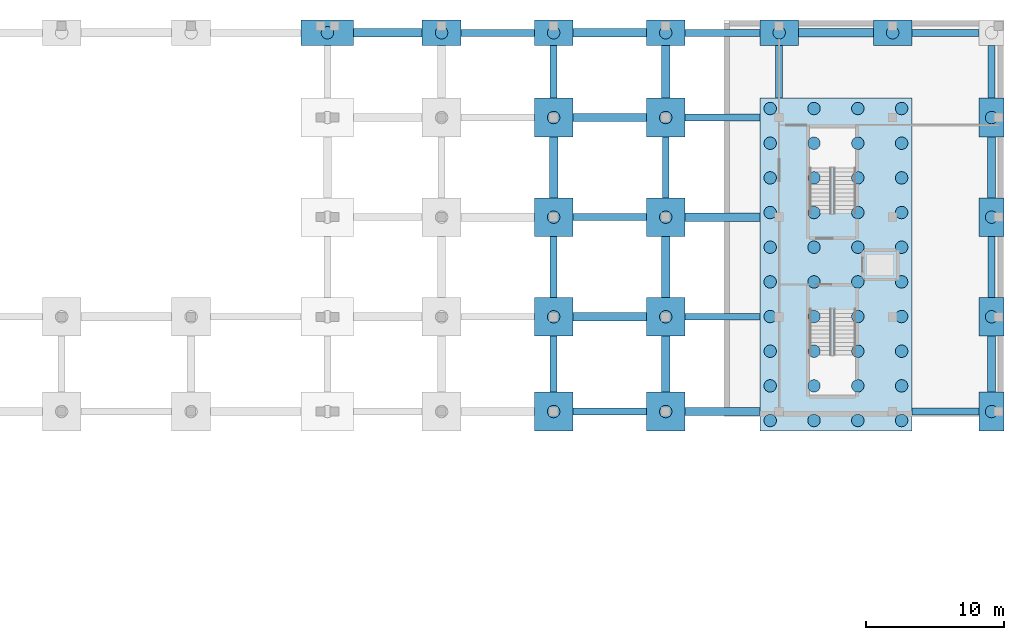
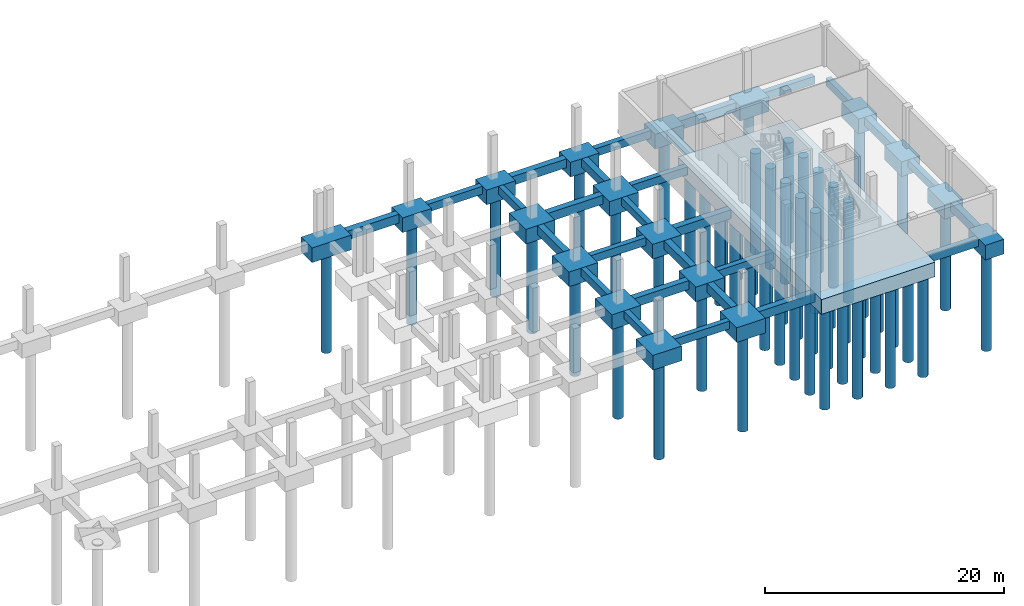
# One storey, part 6 of 21: 58 piles, 47 footings.
"""IFC4 building model written with IfcOpenShell, lengths in metres."""

from ifc_helpers import new_model, si_unit, direction, frame, origin, origin_2d, place, context, subcontext, project, spatial, polyline, circle, outline, extrude, material, material_profile, profile_set, type_object, element, save


model = new_model("IFC4")

# Units and contexts
model_context = context("Model", 3, precision=1e-05, world=origin(), true_north=direction((0.0, 1.0)))
body_context = subcontext(model_context, "Body", "Model", "MODEL_VIEW")
ifc_project = project(units=[si_unit("LENGTHUNIT", "METRE"), si_unit("AREAUNIT", "SQUARE_METRE"), si_unit("VOLUMEUNIT", "CUBIC_METRE"), si_unit("PLANEANGLEUNIT", "RADIAN"), si_unit("MASSUNIT", "GRAM", prefix="KILO")], contexts=[model_context])

# Site, building, storey
site_placement = place(None, origin())
site = spatial("IfcSite", under=ifc_project, at=site_placement, CompositionType="ELEMENT")
building_placement = place(site_placement, origin())
building = spatial("IfcBuilding", under=site, at=building_placement, Name="Quillay Park Conservatory", CompositionType="ELEMENT")
storey_placement = place(building_placement, frame((0.0, 0.0, -8.39990234375)))
storey = spatial("IfcBuildingStorey", under=building, at=storey_placement, Name="B2", CompositionType="ELEMENT", Elevation=-8.39990234375)

# Piles
ifc_material_1 = material(Name="Concrete C35/45 (NCh170 Concrete C35/45)", Category="concrete")
ifc_material_profile = material_profile(ifc_material_1, circle(Radius=0.449951171875, at=origin_2d()), Name="PILE900")
ifc_profile_set = profile_set([ifc_material_profile], Name="Concrete C35/45 (NCh170 Concrete C35/45)")
pile_type = type_object("IfcPileType", Name="BORED CONCRETE PILE 900", PredefinedType="BORED", material=ifc_profile_set)
for number, where, z_axis, x_axis, name in (
    (1, (131.699951171875, 85.550048828125, -1.7001953125), (0.0, 0.0, -1.0), (1.0, 0.0, 0.0), "Bored pile P-0162"),
    (2, (139.800048828125, 85.550048828125, -1.7001953125), (0.0, 0.0, -1.0), (1.0, 0.0, 0.0), "Bored pile P-0163"),
    (3, (147.35009765625, 84.89990234375, -1.7001953125), (0.0, 0.0, -1.0), (1.0, 0.0, 0.0), "Bored pile P-0164"),
    (4, (147.35009765625, 87.405517578125, -1.7001953125), (0.0, 0.0, -1.0), (1.0, 0.0, 0.0), "Bored pile P-0165"),
    (5, (147.35009765625, 89.9111328125, -1.7001953125), (0.0, 0.0, -1.0), (1.0, 0.0, 0.0), "Bored pile P-0166"),
    (6, (147.35009765625, 92.416748046875, -1.7001953125), (0.0, 0.0, -1.0), (1.0, 0.0, 0.0), "Bored pile P-0167"),
    (7, (147.35009765625, 94.922119140625, -1.7001953125), (0.0, 0.0, -1.0), (1.0, 0.0, 0.0), "Bored pile P-0168"),
    (8, (147.35009765625, 97.427734375, -1.7001953125), (0.0, 0.0, -1.0), (1.0, 0.0, 0.0), "Bored pile P-0169"),
    (9, (147.35009765625, 99.933349609375, -1.7001953125), (0.0, 0.0, -1.0), (1.0, 0.0, 0.0), "Bored pile P-0170"),
    (10, (147.35009765625, 102.43896484375, -1.7001953125), (0.0, 0.0, -1.0), (1.0, 0.0, 0.0), "Bored pile P-0171"),
    (11, (147.35009765625, 104.9443359375, -1.7001953125), (0.0, 0.0, -1.0), (1.0, 0.0, 0.0), "Bored pile P-0172"),
    (12, (147.35009765625, 107.449951171875, -1.7001953125), (0.0, 0.0, -1.0), (1.0, 0.0, 0.0), "Bored pile P-0173"),
    (13, (150.5166015625, 84.89990234375, -1.7001953125), (0.0, 0.0, -1.0), (1.0, 0.0, 0.0), "Bored pile P-0174"),
    (14, (150.5166015625, 87.405517578125, -1.7001953125), (0.0, 0.0, -1.0), (1.0, 0.0, 0.0), "Bored pile P-0175"),
    (15, (150.5166015625, 89.9111328125, -1.7001953125), (0.0, 0.0, -1.0), (1.0, 0.0, 0.0), "Bored pile P-0176"),
    (16, (150.5166015625, 92.416748046875, -1.7001953125), (0.0, 0.0, -1.0), (1.0, 0.0, 0.0), "Bored pile P-0177"),
    (17, (150.5166015625, 94.922119140625, -1.7001953125), (0.0, 0.0, -1.0), (1.0, 0.0, 0.0), "Bored pile P-0178"),
    (18, (150.5166015625, 97.427734375, -1.7001953125), (0.0, 0.0, -1.0), (1.0, 0.0, 0.0), "Bored pile P-0179"),
    (19, (150.5166015625, 99.933349609375, -1.7001953125), (0.0, 0.0, -1.0), (1.0, 0.0, 0.0), "Bored pile P-0180"),
    (20, (150.5166015625, 102.43896484375, -1.7001953125), (0.0, 0.0, -1.0), (1.0, 0.0, 0.0), "Bored pile P-0181"),
    (21, (150.5166015625, 104.9443359375, -1.7001953125), (0.0, 0.0, -1.0), (1.0, 0.0, 0.0), "Bored pile P-0182"),
    (22, (150.5166015625, 107.449951171875, -1.7001953125), (0.0, 0.0, -1.0), (1.0, 0.0, 0.0), "Bored pile P-0183"),
    (23, (153.683349609375, 84.89990234375, -1.7001953125), (0.0, 0.0, -1.0), (1.0, 0.0, 0.0), "Bored pile P-0184"),
    (24, (153.683349609375, 87.405517578125, -1.7001953125), (0.0, 0.0, -1.0), (1.0, 0.0, 0.0), "Bored pile P-0185"),
    (25, (153.683349609375, 89.9111328125, -1.7001953125), (0.0, 0.0, -1.0), (1.0, 0.0, 0.0), "Bored pile P-0186"),
    (26, (153.683349609375, 92.416748046875, -1.7001953125), (0.0, 0.0, -1.0), (1.0, 0.0, 0.0), "Bored pile P-0187"),
    (27, (153.683349609375, 94.922119140625, -1.7001953125), (0.0, 0.0, -1.0), (1.0, 0.0, 0.0), "Bored pile P-0188"),
    (28, (153.683349609375, 97.427734375, -1.7001953125), (0.0, 0.0, -1.0), (1.0, 0.0, 0.0), "Bored pile P-0189"),
    (29, (153.683349609375, 99.933349609375, -1.7001953125), (0.0, 0.0, -1.0), (1.0, 0.0, 0.0), "Bored pile P-0190"),
    (30, (153.683349609375, 102.43896484375, -1.7001953125), (0.0, 0.0, -1.0), (1.0, 0.0, 0.0), "Bored pile P-0191"),
    (31, (153.683349609375, 104.9443359375, -1.7001953125), (0.0, 0.0, -1.0), (1.0, 0.0, 0.0), "Bored pile P-0192"),
    (32, (153.683349609375, 107.449951171875, -1.7001953125), (0.0, 0.0, -1.0), (1.0, 0.0, 0.0), "Bored pile P-0193"),
    (33, (156.85009765625, 84.89990234375, -1.7001953125), (0.0, 0.0, -1.0), (1.0, 0.0, 0.0), "Bored pile P-0194"),
    (34, (156.85009765625, 87.405517578125, -1.7001953125), (0.0, 0.0, -1.0), (1.0, 0.0, 0.0), "Bored pile P-0195"),
    (35, (156.85009765625, 89.9111328125, -1.7001953125), (0.0, 0.0, -1.0), (1.0, 0.0, 0.0), "Bored pile P-0196"),
    (36, (156.85009765625, 92.416748046875, -1.7001953125), (0.0, 0.0, -1.0), (1.0, 0.0, 0.0), "Bored pile P-0197"),
    (37, (156.85009765625, 94.922119140625, -1.7001953125), (0.0, 0.0, -1.0), (1.0, 0.0, 0.0), "Bored pile P-0198"),
    (38, (156.85009765625, 97.427734375, -1.7001953125), (0.0, 0.0, -1.0), (1.0, 0.0, 0.0), "Bored pile P-0199"),
    (39, (156.85009765625, 99.933349609375, -1.7001953125), (0.0, 0.0, -1.0), (1.0, 0.0, 0.0), "Bored pile P-0200"),
    (40, (156.85009765625, 102.43896484375, -1.7001953125), (0.0, 0.0, -1.0), (1.0, 0.0, 0.0), "Bored pile P-0201"),
    (41, (156.85009765625, 104.9443359375, -1.7001953125), (0.0, 0.0, -1.0), (1.0, 0.0, 0.0), "Bored pile P-0202"),
    (42, (156.85009765625, 107.449951171875, -1.7001953125), (0.0, 0.0, -1.0), (1.0, 0.0, 0.0), "Bored pile P-0203"),
    (43, (163.35009765625, 85.550048828125, -1.7001953125), (0.0, 0.0, -1.0), (1.0, 0.0, 0.0), "Bored pile P-0204"),
    (44, (131.699951171875, 92.39990234375, -1.7001953125), (0.0, 0.0, -1.0), (1.0, 0.0, 0.0), "Bored pile P-0223"),
    (45, (139.800048828125, 92.39990234375, -1.7001953125), (0.0, 0.0, -1.0), (1.0, 0.0, 0.0), "Bored pile P-0224"),
    (46, (163.35009765625, 92.39990234375, -1.7001953125), (0.0, 0.0, -1.0), (1.0, 0.0, 0.0), "Bored pile P-0225"),
    (47, (131.699951171875, 99.60009765625, -1.7001953125), (0.0, 0.0, -1.0), (1.0, 0.0, 0.0), "Bored pile P-0230"),
    (48, (139.800048828125, 99.60009765625, -1.7001953125), (0.0, 0.0, -1.0), (1.0, 0.0, 0.0), "Bored pile P-0231"),
    (49, (163.35009765625, 99.60009765625, -1.7001953125), (0.0, 0.0, -1.0), (1.0, 0.0, 0.0), "Bored pile P-0232"),
    (50, (131.699951171875, 106.800048828125, -1.7001953125), (0.0, 0.0, -1.0), (1.0, 0.0, 0.0), "Bored pile P-0240"),
    (51, (139.800048828125, 106.800048828125, -1.7001953125), (0.0, 0.0, -1.0), (1.0, 0.0, 0.0), "Bored pile P-0241"),
    (52, (163.35009765625, 106.800048828125, -1.7001953125), (0.0, 0.0, -1.0), (1.0, 0.0, 0.0), "Bored pile P-0242"),
    (53, (115.35009765625, 112.925048828125, -1.7001953125), (0.0, 0.0, -1.0), (1.0, 0.0, 0.0), "Bored pile P-0256"),
    (54, (123.60009765625, 112.925048828125, -1.7001953125), (0.0, 0.0, -1.0), (1.0, 0.0, 0.0), "Bored pile P-0257"),
    (55, (131.699951171875, 112.925048828125, -1.7001953125), (0.0, 0.0, -1.0), (1.0, 0.0, 0.0), "Bored pile P-0258"),
    (56, (139.800048828125, 112.925048828125, -1.7001953125), (0.0, 0.0, -1.0), (1.0, 0.0, 0.0), "Bored pile P-0259"),
    (57, (148.0, 112.925048828125, -1.7001953125), (0.0, 0.0, -1.0), (1.0, 0.0, 0.0), "Bored pile P-0260"),
    (58, (156.199951171875, 112.925048828125, -1.7001953125), (0.0, 0.0, -1.0), (1.0, 0.0, 0.0), "Bored pile P-0261"),
):
    element("IfcPile", number, at=place(storey_placement, frame(where, z_axis=z_axis, x_axis=x_axis)), inside=storey, type_object=pile_type, Name=name, PredefinedType="BORED", context=body_context, shape_type="SweptSolid", body=[
        extrude(circle(Radius=0.449951171875, at=origin_2d()), origin(), (0.0, 0.0, 1.0), 10.300048828125),
    ])

# Footings
ifc_material_2 = material(Name="Concrete C35/45 (NCh170 Concrete C35/45)", Category="concrete")
footing_type_1 = type_object("IfcFootingType", Name="BORED PILE CAP 11000 X24050", PredefinedType="PILE_CAP", material=ifc_material_2)
footing_1_placement = place(storey_placement, frame((0.0, 0.0, -1.800048828125)))
element("IfcFooting", 59, at=footing_1_placement, inside=storey, type_object=footing_type_1, Name="B2 pile cap PC-20 (062)", PredefinedType="PILE_CAP", context=body_context, shape_type="SweptSolid", body=[
    extrude(outline(polyline([(146.60009765625, 84.14990234375), (157.60009765625, 84.14990234375), (157.60009765625, 108.199951171875), (146.60009765625, 108.199951171875), (146.60009765625, 84.14990234375)])), origin(), (0.0, 0.0, 1.0), 1.5),
])
ifc_material_3 = material(Name="Concrete C35/45 (NCh170 Concrete C35/45)", Category="concrete")
footing_type_2 = type_object("IfcFootingType", Name="BORED PILE CAP 1800 X2800", PredefinedType="PILE_CAP", material=ifc_material_3)
footing_2_placement = place(storey_placement, frame((0.0, 0.0, -1.800048828125)))
element("IfcFooting", 60, at=footing_2_placement, inside=storey, type_object=footing_type_2, Name="B2 pile cap PC-04 (063)", PredefinedType="PILE_CAP", context=body_context, shape_type="SweptSolid", body=[
    extrude(outline(polyline([(162.449951171875, 84.14990234375), (164.25, 84.14990234375), (164.25, 86.949951171875), (162.449951171875, 86.949951171875), (162.449951171875, 84.14990234375)])), origin(), (0.0, 0.0, 1.0), 1.5),
])
footing_3_placement = place(storey_placement, frame((0.0, 0.0, -1.800048828125)))
element("IfcFooting", 61, at=footing_3_placement, inside=storey, type_object=footing_type_2, Name="B2 pile cap PC-04 (078)", PredefinedType="PILE_CAP", context=body_context, shape_type="SweptSolid", body=[
    extrude(outline(polyline([(162.449951171875, 91.0), (164.25, 91.0), (164.25, 93.800048828125), (162.449951171875, 93.800048828125), (162.449951171875, 91.0)])), origin(), (0.0, 0.0, 1.0), 1.5),
])
footing_4_placement = place(storey_placement, frame((0.0, 0.0, -1.800048828125)))
element("IfcFooting", 62, at=footing_4_placement, inside=storey, type_object=footing_type_2, Name="B2 pile cap PC-04 (085)", PredefinedType="PILE_CAP", context=body_context, shape_type="SweptSolid", body=[
    extrude(outline(polyline([(162.449951171875, 98.199951171875), (164.25, 98.199951171875), (164.25, 101.0), (162.449951171875, 101.0), (162.449951171875, 98.199951171875)])), origin(), (0.0, 0.0, 1.0), 1.5),
])
footing_5_placement = place(storey_placement, frame((0.0, 0.0, -1.800048828125)))
element("IfcFooting", 63, at=footing_5_placement, inside=storey, type_object=footing_type_2, Name="B2 pile cap PC-04 (094)", PredefinedType="PILE_CAP", context=body_context, shape_type="SweptSolid", body=[
    extrude(outline(polyline([(162.449951171875, 105.39990234375), (164.25, 105.39990234375), (164.25, 108.199951171875), (162.449951171875, 108.199951171875), (162.449951171875, 105.39990234375)])), origin(), (0.0, 0.0, 1.0), 1.5),
])
ifc_material_4 = material(Name="Concrete C35/45 (NCh170 Concrete C35/45)", Category="concrete")
footing_type_3 = type_object("IfcFootingType", Name="BORED PILE CAP 2800 X1850", PredefinedType="PILE_CAP", material=ifc_material_4)
footing_6_placement = place(storey_placement, frame((0.0, 0.0, -1.800048828125)))
element("IfcFooting", 64, at=footing_6_placement, inside=storey, type_object=footing_type_3, Name="B2 pile cap PC-28 (108)", PredefinedType="PILE_CAP", context=body_context, shape_type="SweptSolid", body=[
    extrude(outline(polyline([(122.199951171875, 112.0), (125.0, 112.0), (125.0, 113.85009765625), (122.199951171875, 113.85009765625), (122.199951171875, 112.0)])), origin(), (0.0, 0.0, 1.0), 1.5),
])
footing_7_placement = place(storey_placement, frame((0.0, 0.0, -1.800048828125)))
element("IfcFooting", 65, at=footing_7_placement, inside=storey, type_object=footing_type_3, Name="B2 pile cap PC-28 (109)", PredefinedType="PILE_CAP", context=body_context, shape_type="SweptSolid", body=[
    extrude(outline(polyline([(130.300048828125, 112.0), (133.10009765625, 112.0), (133.10009765625, 113.85009765625), (130.300048828125, 113.85009765625), (130.300048828125, 112.0)])), origin(), (0.0, 0.0, 1.0), 1.5),
])
footing_8_placement = place(storey_placement, frame((0.0, 0.0, -1.800048828125)))
element("IfcFooting", 66, at=footing_8_placement, inside=storey, type_object=footing_type_3, Name="B2 pile cap PC-28 (110)", PredefinedType="PILE_CAP", context=body_context, shape_type="SweptSolid", body=[
    extrude(outline(polyline([(138.39990234375, 112.0), (141.199951171875, 112.0), (141.199951171875, 113.85009765625), (138.39990234375, 113.85009765625), (138.39990234375, 112.0)])), origin(), (0.0, 0.0, 1.0), 1.5),
])
footing_9_placement = place(storey_placement, frame((0.0, 0.0, -1.800048828125)))
element("IfcFooting", 67, at=footing_9_placement, inside=storey, type_object=footing_type_3, Name="B2 pile cap PC-28 (111)", PredefinedType="PILE_CAP", context=body_context, shape_type="SweptSolid", body=[
    extrude(outline(polyline([(146.60009765625, 112.0), (149.39990234375, 112.0), (149.39990234375, 113.85009765625), (146.60009765625, 113.85009765625), (146.60009765625, 112.0)])), origin(), (0.0, 0.0, 1.0), 1.5),
])
footing_10_placement = place(storey_placement, frame((0.0, 0.0, -1.800048828125)))
element("IfcFooting", 68, at=footing_10_placement, inside=storey, type_object=footing_type_3, Name="B2 pile cap PC-28 (112)", PredefinedType="PILE_CAP", context=body_context, shape_type="SweptSolid", body=[
    extrude(outline(polyline([(154.800048828125, 112.0), (157.60009765625, 112.0), (157.60009765625, 113.85009765625), (154.800048828125, 113.85009765625), (154.800048828125, 112.0)])), origin(), (0.0, 0.0, 1.0), 1.5),
])
ifc_material_5 = material(Name="Concrete C35/45 (NCh170 Concrete C35/45)", Category="concrete")
footing_type_4 = type_object("IfcFootingType", Name="BORED PILE CAP 2800 X2800", PredefinedType="PILE_CAP", material=ifc_material_5)
footing_11_placement = place(storey_placement, frame((0.0, 0.0, -1.800048828125)))
element("IfcFooting", 69, at=footing_11_placement, inside=storey, type_object=footing_type_4, Name="B2 pile cap PC-05 (060)", PredefinedType="PILE_CAP", context=body_context, shape_type="SweptSolid", body=[
    extrude(outline(polyline([(130.300048828125, 84.14990234375), (133.10009765625, 84.14990234375), (133.10009765625, 86.949951171875), (130.300048828125, 86.949951171875), (130.300048828125, 84.14990234375)])), origin(), (0.0, 0.0, 1.0), 1.5),
])
footing_12_placement = place(storey_placement, frame((0.0, 0.0, -1.800048828125)))
element("IfcFooting", 70, at=footing_12_placement, inside=storey, type_object=footing_type_4, Name="B2 pile cap PC-05 (061)", PredefinedType="PILE_CAP", context=body_context, shape_type="SweptSolid", body=[
    extrude(outline(polyline([(138.39990234375, 84.14990234375), (141.199951171875, 84.14990234375), (141.199951171875, 86.949951171875), (138.39990234375, 86.949951171875), (138.39990234375, 84.14990234375)])), origin(), (0.0, 0.0, 1.0), 1.5),
])
footing_13_placement = place(storey_placement, frame((0.0, 0.0, -1.800048828125)))
element("IfcFooting", 71, at=footing_13_placement, inside=storey, type_object=footing_type_4, Name="B2 pile cap PC-05 (076)", PredefinedType="PILE_CAP", context=body_context, shape_type="SweptSolid", body=[
    extrude(outline(polyline([(130.300048828125, 91.0), (133.10009765625, 91.0), (133.10009765625, 93.800048828125), (130.300048828125, 93.800048828125), (130.300048828125, 91.0)])), origin(), (0.0, 0.0, 1.0), 1.5),
])
footing_14_placement = place(storey_placement, frame((0.0, 0.0, -1.800048828125)))
element("IfcFooting", 72, at=footing_14_placement, inside=storey, type_object=footing_type_4, Name="B2 pile cap PC-05 (077)", PredefinedType="PILE_CAP", context=body_context, shape_type="SweptSolid", body=[
    extrude(outline(polyline([(138.39990234375, 91.0), (141.199951171875, 91.0), (141.199951171875, 93.800048828125), (138.39990234375, 93.800048828125), (138.39990234375, 91.0)])), origin(), (0.0, 0.0, 1.0), 1.5),
])
footing_15_placement = place(storey_placement, frame((0.0, 0.0, -1.800048828125)))
element("IfcFooting", 73, at=footing_15_placement, inside=storey, type_object=footing_type_4, Name="B2 pile cap PC-05 (083)", PredefinedType="PILE_CAP", context=body_context, shape_type="SweptSolid", body=[
    extrude(outline(polyline([(130.300048828125, 98.199951171875), (133.10009765625, 98.199951171875), (133.10009765625, 101.0), (130.300048828125, 101.0), (130.300048828125, 98.199951171875)])), origin(), (0.0, 0.0, 1.0), 1.5),
])
footing_16_placement = place(storey_placement, frame((0.0, 0.0, -1.800048828125)))
element("IfcFooting", 74, at=footing_16_placement, inside=storey, type_object=footing_type_4, Name="B2 pile cap PC-05 (084)", PredefinedType="PILE_CAP", context=body_context, shape_type="SweptSolid", body=[
    extrude(outline(polyline([(138.39990234375, 98.199951171875), (141.199951171875, 98.199951171875), (141.199951171875, 101.0), (138.39990234375, 101.0), (138.39990234375, 98.199951171875)])), origin(), (0.0, 0.0, 1.0), 1.5),
])
footing_17_placement = place(storey_placement, frame((0.0, 0.0, -1.800048828125)))
element("IfcFooting", 75, at=footing_17_placement, inside=storey, type_object=footing_type_4, Name="B2 pile cap PC-05 (092)", PredefinedType="PILE_CAP", context=body_context, shape_type="SweptSolid", body=[
    extrude(outline(polyline([(130.300048828125, 105.39990234375), (133.10009765625, 105.39990234375), (133.10009765625, 108.199951171875), (130.300048828125, 108.199951171875), (130.300048828125, 105.39990234375)])), origin(), (0.0, 0.0, 1.0), 1.5),
])
footing_18_placement = place(storey_placement, frame((0.0, 0.0, -1.800048828125)))
element("IfcFooting", 76, at=footing_18_placement, inside=storey, type_object=footing_type_4, Name="B2 pile cap PC-05 (093)", PredefinedType="PILE_CAP", context=body_context, shape_type="SweptSolid", body=[
    extrude(outline(polyline([(138.39990234375, 105.39990234375), (141.199951171875, 105.39990234375), (141.199951171875, 108.199951171875), (138.39990234375, 108.199951171875), (138.39990234375, 105.39990234375)])), origin(), (0.0, 0.0, 1.0), 1.5),
])
ifc_material_6 = material(Name="Concrete C35/45 (NCh170 Concrete C35/45)", Category="concrete")
footing_type_5 = type_object("IfcFootingType", Name="BORED PILE CAP 3800 X1850", PredefinedType="PILE_CAP", material=ifc_material_6)
footing_19_placement = place(storey_placement, frame((0.0, 0.0, -1.800048828125)))
element("IfcFooting", 77, at=footing_19_placement, inside=storey, type_object=footing_type_5, Name="B2 pile cap PC-29 (107)", PredefinedType="PILE_CAP", context=body_context, shape_type="SweptSolid", body=[
    extrude(outline(polyline([(113.449951171875, 112.0), (117.25, 112.0), (117.25, 113.85009765625), (113.449951171875, 113.85009765625), (113.449951171875, 112.0)])), origin(), (0.0, 0.0, 1.0), 1.5),
])
ifc_material_7 = material(Name="Concrete C35/45 (NCh170 Concrete C35/45)", Category="concrete")
footing_type_6 = type_object("IfcFootingType", Name="SEISMIC GROUND BEAM 500 X800", PredefinedType="FOOTING_BEAM", material=ifc_material_7)
footing_20_placement = place(storey_placement, frame((0.0, 0.0, -1.10009765625)))
element("IfcFooting", 78, at=footing_20_placement, inside=storey, type_object=footing_type_6, Name="Seismic ground tie beam FB-048", PredefinedType="FOOTING_BEAM", context=body_context, shape_type="SweptSolid", body=[
    extrude(outline(polyline([(133.10009765625, 85.300048828125), (138.39990234375, 85.300048828125), (138.39990234375, 85.800048828125), (133.10009765625, 85.800048828125), (133.10009765625, 85.300048828125)])), origin(), (0.0, 0.0, 1.0), 0.800048828125),
])
footing_21_placement = place(storey_placement, frame((0.0, 0.0, -1.10009765625)))
element("IfcFooting", 79, at=footing_21_placement, inside=storey, type_object=footing_type_6, Name="Seismic ground tie beam FB-050", PredefinedType="FOOTING_BEAM", context=body_context, shape_type="SweptSolid", body=[
    extrude(outline(polyline([(157.60009765625, 85.300048828125), (162.449951171875, 85.300048828125), (162.449951171875, 85.800048828125), (157.60009765625, 85.800048828125), (157.60009765625, 85.300048828125)])), origin(), (0.0, 0.0, 1.0), 0.800048828125),
])
footing_22_placement = place(storey_placement, frame((0.0, 0.0, -1.10009765625)))
element("IfcFooting", 80, at=footing_22_placement, inside=storey, type_object=footing_type_6, Name="Seismic ground tie beam FB-064", PredefinedType="FOOTING_BEAM", context=body_context, shape_type="SweptSolid", body=[
    extrude(outline(polyline([(141.199951171875, 92.14990234375), (146.60009765625, 92.14990234375), (146.60009765625, 92.64990234375), (141.199951171875, 92.64990234375), (141.199951171875, 92.14990234375)])), origin(), (0.0, 0.0, 1.0), 0.800048828125),
])
footing_23_placement = place(storey_placement, frame((0.0, 0.0, -1.10009765625)))
element("IfcFooting", 81, at=footing_23_placement, inside=storey, type_object=footing_type_6, Name="Seismic ground tie beam FB-068", PredefinedType="FOOTING_BEAM", context=body_context, shape_type="SweptSolid", body=[
    extrude(outline(polyline([(133.10009765625, 99.35009765625), (138.39990234375, 99.35009765625), (138.39990234375, 99.85009765625), (133.10009765625, 99.85009765625), (133.10009765625, 99.35009765625)])), origin(), (0.0, 0.0, 1.0), 0.800048828125),
])
footing_24_placement = place(storey_placement, frame((0.0, 0.0, -1.10009765625)))
element("IfcFooting", 82, at=footing_24_placement, inside=storey, type_object=footing_type_6, Name="Seismic ground tie beam FB-076", PredefinedType="FOOTING_BEAM", context=body_context, shape_type="SweptSolid", body=[
    extrude(outline(polyline([(141.199951171875, 106.550048828125), (146.60009765625, 106.550048828125), (146.60009765625, 107.050048828125), (141.199951171875, 107.050048828125), (141.199951171875, 106.550048828125)])), origin(), (0.0, 0.0, 1.0), 0.800048828125),
])
footing_25_placement = place(storey_placement, frame((0.0, 0.0, -1.10009765625)))
element("IfcFooting", 83, at=footing_25_placement, inside=storey, type_object=footing_type_6, Name="Seismic ground tie beam FB-090", PredefinedType="FOOTING_BEAM", context=body_context, shape_type="SweptSolid", body=[
    extrude(outline(polyline([(125.0, 112.675048828125), (130.300048828125, 112.675048828125), (130.300048828125, 113.175048828125), (125.0, 113.175048828125), (125.0, 112.675048828125)])), origin(), (0.0, 0.0, 1.0), 0.800048828125),
])
footing_26_placement = place(storey_placement, frame((0.0, 0.0, -1.10009765625)))
element("IfcFooting", 84, at=footing_26_placement, inside=storey, type_object=footing_type_6, Name="Seismic ground tie beam FB-092", PredefinedType="FOOTING_BEAM", context=body_context, shape_type="SweptSolid", body=[
    extrude(outline(polyline([(141.199951171875, 112.675048828125), (146.60009765625, 112.675048828125), (146.60009765625, 113.175048828125), (141.199951171875, 113.175048828125), (141.199951171875, 112.675048828125)])), origin(), (0.0, 0.0, 1.0), 0.800048828125),
])
footing_27_placement = place(storey_placement, frame((0.0, 0.0, -1.10009765625)))
element("IfcFooting", 85, at=footing_27_placement, inside=storey, type_object=footing_type_6, Name="Seismic ground tie beam FB-094", PredefinedType="FOOTING_BEAM", context=body_context, shape_type="SweptSolid", body=[
    extrude(outline(polyline([(157.60009765625, 112.675048828125), (162.449951171875, 112.675048828125), (162.449951171875, 113.175048828125), (157.60009765625, 113.175048828125), (157.60009765625, 112.675048828125)])), origin(), (0.0, 0.0, 1.0), 0.800048828125),
])
footing_28_placement = place(storey_placement, frame((0.0, 0.0, -1.10009765625)))
element("IfcFooting", 86, at=footing_28_placement, inside=storey, type_object=footing_type_6, Name="Seismic ground tie beam FB-150", PredefinedType="FOOTING_BEAM", context=body_context, shape_type="SweptSolid", body=[
    extrude(outline(polyline([(131.449951171875, 86.949951171875), (131.949951171875, 86.949951171875), (131.949951171875, 91.0), (131.449951171875, 91.0), (131.449951171875, 86.949951171875)])), origin(), (0.0, 0.0, 1.0), 0.800048828125),
])
footing_29_placement = place(storey_placement, frame((0.0, 0.0, -1.10009765625)))
element("IfcFooting", 87, at=footing_29_placement, inside=storey, type_object=footing_type_6, Name="Seismic ground tie beam FB-152", PredefinedType="FOOTING_BEAM", context=body_context, shape_type="SweptSolid", body=[
    extrude(outline(polyline([(147.75, 108.199951171875), (148.25, 108.199951171875), (148.25, 112.0), (147.75, 112.0), (147.75, 108.199951171875)])), origin(), (0.0, 0.0, 1.0), 0.800048828125),
])
footing_30_placement = place(storey_placement, frame((0.0, 0.0, -1.10009765625)))
element("IfcFooting", 88, at=footing_30_placement, inside=storey, type_object=footing_type_6, Name="Seismic ground tie beam FB-158", PredefinedType="FOOTING_BEAM", context=body_context, shape_type="SweptSolid", body=[
    extrude(outline(polyline([(131.449951171875, 93.800048828125), (131.949951171875, 93.800048828125), (131.949951171875, 98.199951171875), (131.449951171875, 98.199951171875), (131.449951171875, 93.800048828125)])), origin(), (0.0, 0.0, 1.0), 0.800048828125),
])
footing_31_placement = place(storey_placement, frame((0.0, 0.0, -1.10009765625)))
element("IfcFooting", 89, at=footing_31_placement, inside=storey, type_object=footing_type_6, Name="Seismic ground tie beam FB-160", PredefinedType="FOOTING_BEAM", context=body_context, shape_type="SweptSolid", body=[
    extrude(outline(polyline([(163.10009765625, 93.800048828125), (163.60009765625, 93.800048828125), (163.60009765625, 98.199951171875), (163.10009765625, 98.199951171875), (163.10009765625, 93.800048828125)])), origin(), (0.0, 0.0, 1.0), 0.800048828125),
])
footing_32_placement = place(storey_placement, frame((0.0, 0.0, -1.10009765625)))
element("IfcFooting", 90, at=footing_32_placement, inside=storey, type_object=footing_type_6, Name="Seismic ground tie beam FB-166", PredefinedType="FOOTING_BEAM", context=body_context, shape_type="SweptSolid", body=[
    extrude(outline(polyline([(139.550048828125, 101.0), (140.050048828125, 101.0), (140.050048828125, 105.39990234375), (139.550048828125, 105.39990234375), (139.550048828125, 101.0)])), origin(), (0.0, 0.0, 1.0), 0.800048828125),
])
footing_33_placement = place(storey_placement, frame((0.0, 0.0, -1.10009765625)))
element("IfcFooting", 91, at=footing_33_placement, inside=storey, type_object=footing_type_6, Name="Seismic ground tie beam FB-174", PredefinedType="FOOTING_BEAM", context=body_context, shape_type="SweptSolid", body=[
    extrude(outline(polyline([(131.449951171875, 108.199951171875), (131.949951171875, 108.199951171875), (131.949951171875, 112.0), (131.449951171875, 112.0), (131.449951171875, 108.199951171875)])), origin(), (0.0, 0.0, 1.0), 0.800048828125),
])
footing_34_placement = place(storey_placement, frame((0.0, 0.0, -1.10009765625)))
element("IfcFooting", 92, at=footing_34_placement, inside=storey, type_object=footing_type_6, Name="Seismic ground tie beam FB-176", PredefinedType="FOOTING_BEAM", context=body_context, shape_type="SweptSolid", body=[
    extrude(outline(polyline([(163.10009765625, 108.199951171875), (163.60009765625, 108.199951171875), (163.60009765625, 112.0), (163.10009765625, 112.0), (163.10009765625, 108.199951171875)])), origin(), (0.0, 0.0, 1.0), 0.800048828125),
])
ifc_material_8 = material(Name="Concrete C35/45 (NCh170 Concrete C35/45)", Category="concrete")
footing_type_7 = type_object("IfcFootingType", Name="SEISMIC GROUND BEAM 600 X900", PredefinedType="FOOTING_BEAM", material=ifc_material_8)
footing_35_placement = place(storey_placement, frame((0.0, 0.0, -1.2001953125)))
element("IfcFooting", 93, at=footing_35_placement, inside=storey, type_object=footing_type_7, Name="Seismic ground tie beam FB-049", PredefinedType="FOOTING_BEAM", context=body_context, shape_type="SweptSolid", body=[
    extrude(outline(polyline([(141.199951171875, 85.25), (146.60009765625, 85.25), (146.60009765625, 85.85009765625), (141.199951171875, 85.85009765625), (141.199951171875, 85.25)])), origin(), (0.0, 0.0, 1.0), 0.900146484375),
])
footing_36_placement = place(storey_placement, frame((0.0, 0.0, -1.2001953125)))
element("IfcFooting", 94, at=footing_36_placement, inside=storey, type_object=footing_type_7, Name="Seismic ground tie beam FB-063", PredefinedType="FOOTING_BEAM", context=body_context, shape_type="SweptSolid", body=[
    extrude(outline(polyline([(133.10009765625, 92.10009765625), (138.39990234375, 92.10009765625), (138.39990234375, 92.699951171875), (133.10009765625, 92.699951171875), (133.10009765625, 92.10009765625)])), origin(), (0.0, 0.0, 1.0), 0.900146484375),
])
footing_37_placement = place(storey_placement, frame((0.0, 0.0, -1.2001953125)))
element("IfcFooting", 95, at=footing_37_placement, inside=storey, type_object=footing_type_7, Name="Seismic ground tie beam FB-069", PredefinedType="FOOTING_BEAM", context=body_context, shape_type="SweptSolid", body=[
    extrude(outline(polyline([(141.199951171875, 99.300048828125), (146.60009765625, 99.300048828125), (146.60009765625, 99.89990234375), (141.199951171875, 99.89990234375), (141.199951171875, 99.300048828125)])), origin(), (0.0, 0.0, 1.0), 0.900146484375),
])
footing_38_placement = place(storey_placement, frame((0.0, 0.0, -1.2001953125)))
element("IfcFooting", 96, at=footing_38_placement, inside=storey, type_object=footing_type_7, Name="Seismic ground tie beam FB-075", PredefinedType="FOOTING_BEAM", context=body_context, shape_type="SweptSolid", body=[
    extrude(outline(polyline([(133.10009765625, 106.5), (138.39990234375, 106.5), (138.39990234375, 107.10009765625), (133.10009765625, 107.10009765625), (133.10009765625, 106.5)])), origin(), (0.0, 0.0, 1.0), 0.900146484375),
])
footing_39_placement = place(storey_placement, frame((0.0, 0.0, -1.2001953125)))
element("IfcFooting", 97, at=footing_39_placement, inside=storey, type_object=footing_type_7, Name="Seismic ground tie beam FB-089", PredefinedType="FOOTING_BEAM", context=body_context, shape_type="SweptSolid", body=[
    extrude(outline(polyline([(117.25, 112.625), (122.199951171875, 112.625), (122.199951171875, 113.22509765625), (117.25, 113.22509765625), (117.25, 112.625)])), origin(), (0.0, 0.0, 1.0), 0.900146484375),
])
footing_40_placement = place(storey_placement, frame((0.0, 0.0, -1.2001953125)))
element("IfcFooting", 98, at=footing_40_placement, inside=storey, type_object=footing_type_7, Name="Seismic ground tie beam FB-091", PredefinedType="FOOTING_BEAM", context=body_context, shape_type="SweptSolid", body=[
    extrude(outline(polyline([(133.10009765625, 112.625), (138.39990234375, 112.625), (138.39990234375, 113.22509765625), (133.10009765625, 113.22509765625), (133.10009765625, 112.625)])), origin(), (0.0, 0.0, 1.0), 0.900146484375),
])
footing_41_placement = place(storey_placement, frame((0.0, 0.0, -1.2001953125)))
element("IfcFooting", 99, at=footing_41_placement, inside=storey, type_object=footing_type_7, Name="Seismic ground tie beam FB-093", PredefinedType="FOOTING_BEAM", context=body_context, shape_type="SweptSolid", body=[
    extrude(outline(polyline([(149.39990234375, 112.625), (154.800048828125, 112.625), (154.800048828125, 113.22509765625), (149.39990234375, 113.22509765625), (149.39990234375, 112.625)])), origin(), (0.0, 0.0, 1.0), 0.900146484375),
])
footing_42_placement = place(storey_placement, frame((0.0, 0.0, -1.2001953125)))
element("IfcFooting", 100, at=footing_42_placement, inside=storey, type_object=footing_type_7, Name="Seismic ground tie beam FB-151", PredefinedType="FOOTING_BEAM", context=body_context, shape_type="SweptSolid", body=[
    extrude(outline(polyline([(139.5, 86.949951171875), (140.10009765625, 86.949951171875), (140.10009765625, 91.0), (139.5, 91.0), (139.5, 86.949951171875)])), origin(), (0.0, 0.0, 1.0), 0.900146484375),
])
footing_43_placement = place(storey_placement, frame((0.0, 0.0, -1.2001953125)))
element("IfcFooting", 101, at=footing_43_placement, inside=storey, type_object=footing_type_7, Name="Seismic ground tie beam FB-153", PredefinedType="FOOTING_BEAM", context=body_context, shape_type="SweptSolid", body=[
    extrude(outline(polyline([(163.050048828125, 86.949951171875), (163.64990234375, 86.949951171875), (163.64990234375, 91.0), (163.050048828125, 91.0), (163.050048828125, 86.949951171875)])), origin(), (0.0, 0.0, 1.0), 0.900146484375),
])
footing_44_placement = place(storey_placement, frame((0.0, 0.0, -1.2001953125)))
element("IfcFooting", 102, at=footing_44_placement, inside=storey, type_object=footing_type_7, Name="Seismic ground tie beam FB-159", PredefinedType="FOOTING_BEAM", context=body_context, shape_type="SweptSolid", body=[
    extrude(outline(polyline([(139.5, 93.800048828125), (140.10009765625, 93.800048828125), (140.10009765625, 98.199951171875), (139.5, 98.199951171875), (139.5, 93.800048828125)])), origin(), (0.0, 0.0, 1.0), 0.900146484375),
])
footing_45_placement = place(storey_placement, frame((0.0, 0.0, -1.2001953125)))
element("IfcFooting", 103, at=footing_45_placement, inside=storey, type_object=footing_type_7, Name="Seismic ground tie beam FB-165", PredefinedType="FOOTING_BEAM", context=body_context, shape_type="SweptSolid", body=[
    extrude(outline(polyline([(131.39990234375, 101.0), (132.0, 101.0), (132.0, 105.39990234375), (131.39990234375, 105.39990234375), (131.39990234375, 101.0)])), origin(), (0.0, 0.0, 1.0), 0.900146484375),
])
footing_46_placement = place(storey_placement, frame((0.0, 0.0, -1.2001953125)))
element("IfcFooting", 104, at=footing_46_placement, inside=storey, type_object=footing_type_7, Name="Seismic ground tie beam FB-167", PredefinedType="FOOTING_BEAM", context=body_context, shape_type="SweptSolid", body=[
    extrude(outline(polyline([(163.050048828125, 101.0), (163.64990234375, 101.0), (163.64990234375, 105.39990234375), (163.050048828125, 105.39990234375), (163.050048828125, 101.0)])), origin(), (0.0, 0.0, 1.0), 0.900146484375),
])
footing_47_placement = place(storey_placement, frame((0.0, 0.0, -1.2001953125)))
element("IfcFooting", 105, at=footing_47_placement, inside=storey, type_object=footing_type_7, Name="Seismic ground tie beam FB-175", PredefinedType="FOOTING_BEAM", context=body_context, shape_type="SweptSolid", body=[
    extrude(outline(polyline([(139.5, 108.199951171875), (140.10009765625, 108.199951171875), (140.10009765625, 112.0), (139.5, 112.0), (139.5, 108.199951171875)])), origin(), (0.0, 0.0, 1.0), 0.900146484375),
])

save(model, "model.ifc")
